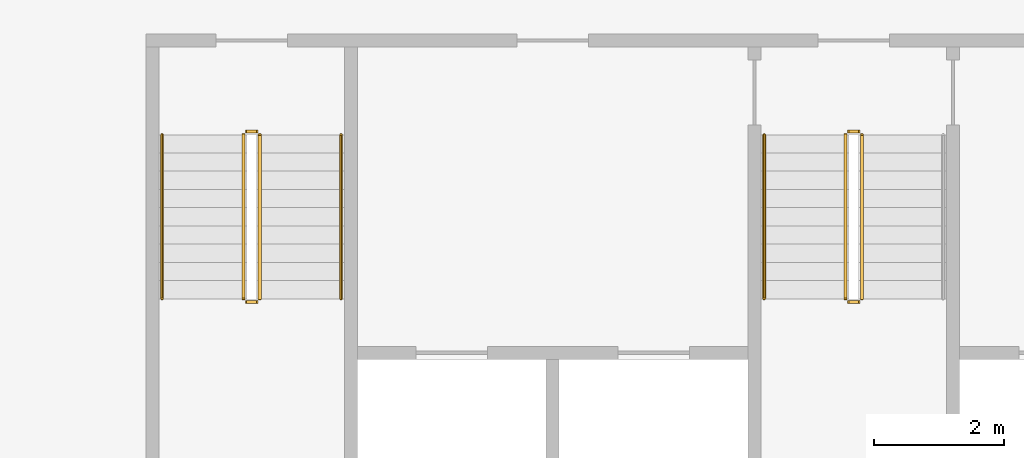
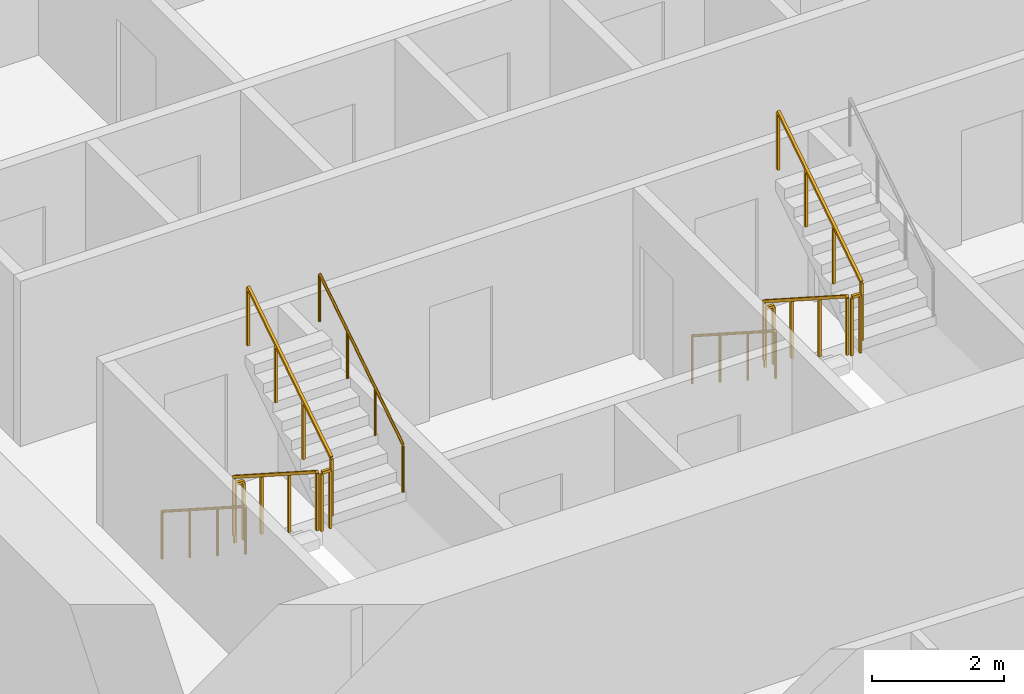
# One storey, part 15 of 18: 11 railings.
"""IFC4 building model written with IfcOpenShell, lengths in metres."""

from ifc_helpers import new_model, si_unit, direction, frame, origin, origin_2d, place, context, subcontext, project, spatial, rectangle, circle, extrude, material, type_object, element, save


model = new_model("IFC4")

# Units and contexts
model_context = context("Model", 3, precision=1e-05, world=origin(), true_north=direction((0.0, 1.0)))
body_context = subcontext(model_context, "Body", "Model", "MODEL_VIEW")
ifc_project = project(units=[si_unit("LENGTHUNIT", "METRE"), si_unit("AREAUNIT", "SQUARE_METRE"), si_unit("VOLUMEUNIT", "CUBIC_METRE"), si_unit("PLANEANGLEUNIT", "RADIAN"), si_unit("MASSUNIT", "GRAM", prefix="KILO")], contexts=[model_context])

# Site, building, storey
site_placement = place(None, origin())
site = spatial("IfcSite", under=ifc_project, at=site_placement, CompositionType="ELEMENT")
building_placement = place(site_placement, origin())
building = spatial("IfcBuilding", under=site, at=building_placement, Name="Mangrove Gate Tower", CompositionType="ELEMENT")
storey_placement = place(building_placement, frame((0.0, 0.0, 56.699951171875)))
storey = spatial("IfcBuildingStorey", under=building, at=storey_placement, Name="L13", CompositionType="ELEMENT", Elevation=56.699951171875)

# Railings
ifc_material_1 = material(Name="Stainless steel 316", Category="steel")
railing_type_1 = type_object("IfcRailingType", Name="Core stair guard 1100", PredefinedType="GUARDRAIL", material=ifc_material_1)
railing_1_placement = place(storey_placement, frame((-9.39990234375, -4.64990234375, 0.179931640625)))
element("IfcRailing", 1, at=railing_1_placement, inside=storey, type_object=railing_type_1, Name="L13 ST1 stair guard 1", PredefinedType="GUARDRAIL", context=body_context, shape_type="SweptSolid", body=[
    extrude(rectangle(XDim=0.048095703125, YDim=0.048095703125, at=origin_2d()), frame((0.0, 0.0, 1.076171875), z_axis=(0.0, -0.841162588446, 0.540782303519), x_axis=(1.0, 0.0, 0.0)), (0.0, 0.0, 1.0), 2.995849609375),
    extrude(rectangle(XDim=0.0419921875, YDim=0.0419921875, at=origin_2d()), origin(), (0.0, 0.0, 1.0), 1.052001953125),
    extrude(rectangle(XDim=0.0419921875, YDim=0.0419921875, at=origin_2d()), frame((0.0, -0.840087890625, 0.5400390625)), (0.0, 0.0, 1.0), 1.052001953125),
    extrude(rectangle(XDim=0.0419921875, YDim=0.0419921875, at=origin_2d()), frame((0.0, -1.679931640625, 1.080078125)), (0.0, 0.0, 1.0), 1.052001953125),
    extrude(rectangle(XDim=0.0419921875, YDim=0.0419921875, at=origin_2d()), frame((0.0, -2.52001953125, 1.6201171875)), (0.0, 0.0, 1.0), 1.052001953125),
])
railing_2_placement = place(storey_placement, frame((-9.35009765625, -7.219970703125, 1.800048828125)))
element("IfcRailing", 2, at=railing_2_placement, inside=storey, type_object=railing_type_1, Name="L13 ST1 stair guard 2", PredefinedType="GUARDRAIL", context=body_context, shape_type="SweptSolid", body=[
    extrude(rectangle(XDim=0.048095703125, YDim=0.048095703125, at=origin_2d()), frame((0.0, 0.0, 1.076171875), z_axis=(1.0, 0.0, 0.0), x_axis=(0.0, 1.0, 0.0)), (0.0, 0.0, 1.0), 0.150146484375),
    extrude(rectangle(XDim=0.0419921875, YDim=0.0419921875, at=origin_2d()), origin(), (0.0, 0.0, 1.0), 1.052001953125),
    extrude(rectangle(XDim=0.0419921875, YDim=0.0419921875, at=origin_2d()), frame((0.150146484375, 0.0, 0.0)), (0.0, 0.0, 1.0), 1.052001953125),
])
railing_3_placement = place(storey_placement, frame((-9.14990234375, -7.169921875, 1.97998046875)))
element("IfcRailing", 3, at=railing_3_placement, inside=storey, type_object=railing_type_1, Name="L13 ST1 stair guard 3", PredefinedType="GUARDRAIL", context=body_context, shape_type="SweptSolid", body=[
    extrude(rectangle(XDim=0.048095703125, YDim=0.048095703125, at=origin_2d()), frame((0.0, 0.0, 1.076171875), z_axis=(0.0, 0.841162588446, 0.540782303519), x_axis=(-1.0, 0.0, 0.0)), (0.0, 0.0, 1.0), 2.995849609375),
    extrude(rectangle(XDim=0.0419921875, YDim=0.0419921875, at=origin_2d()), origin(), (0.0, 0.0, 1.0), 1.052001953125),
    extrude(rectangle(XDim=0.0419921875, YDim=0.0419921875, at=origin_2d()), frame((0.0, 0.840087890625, 0.5400390625)), (0.0, 0.0, 1.0), 1.052001953125),
    extrude(rectangle(XDim=0.0419921875, YDim=0.0419921875, at=origin_2d()), frame((0.0, 1.679931640625, 1.080078125)), (0.0, 0.0, 1.0), 1.052001953125),
    extrude(rectangle(XDim=0.0419921875, YDim=0.0419921875, at=origin_2d()), frame((0.0, 2.52001953125, 1.6201171875)), (0.0, 0.0, 1.0), 1.052001953125),
])
railing_4_placement = place(storey_placement, frame((-9.35009765625, -4.60009765625, 0.0)))
element("IfcRailing", 4, at=railing_4_placement, inside=storey, type_object=railing_type_1, Name="L13 ST1 stair guard 4", PredefinedType="GUARDRAIL", context=body_context, shape_type="SweptSolid", body=[
    extrude(rectangle(XDim=0.048095703125, YDim=0.048095703125, at=origin_2d()), frame((0.0, 0.0, 1.076171875), z_axis=(1.0, 0.0, 0.0), x_axis=(0.0, 1.0, 0.0)), (0.0, 0.0, 1.0), 0.150146484375),
    extrude(rectangle(XDim=0.0419921875, YDim=0.0419921875, at=origin_2d()), origin(), (0.0, 0.0, 1.0), 1.052001953125),
    extrude(rectangle(XDim=0.0419921875, YDim=0.0419921875, at=origin_2d()), frame((0.150146484375, 0.0, 0.0)), (0.0, 0.0, 1.0), 1.052001953125),
])
railing_5_placement = place(storey_placement, frame((-0.14990234375, -4.64990234375, 0.179931640625)))
element("IfcRailing", 5, at=railing_5_placement, inside=storey, type_object=railing_type_1, Name="L13 ST2 stair guard 1", PredefinedType="GUARDRAIL", context=body_context, shape_type="SweptSolid", body=[
    extrude(rectangle(XDim=0.048095703125, YDim=0.048095703125, at=origin_2d()), frame((0.0, 0.0, 1.076171875), z_axis=(0.0, -0.841162588446, 0.540782303519), x_axis=(1.0, 0.0, 0.0)), (0.0, 0.0, 1.0), 2.995849609375),
    extrude(rectangle(XDim=0.0419921875, YDim=0.0419921875, at=origin_2d()), origin(), (0.0, 0.0, 1.0), 1.052001953125),
    extrude(rectangle(XDim=0.0419921875, YDim=0.0419921875, at=origin_2d()), frame((0.0, -0.840087890625, 0.5400390625)), (0.0, 0.0, 1.0), 1.052001953125),
    extrude(rectangle(XDim=0.0419921875, YDim=0.0419921875, at=origin_2d()), frame((0.0, -1.679931640625, 1.080078125)), (0.0, 0.0, 1.0), 1.052001953125),
    extrude(rectangle(XDim=0.0419921875, YDim=0.0419921875, at=origin_2d()), frame((0.0, -2.52001953125, 1.6201171875)), (0.0, 0.0, 1.0), 1.052001953125),
])
railing_6_placement = place(storey_placement, frame((-0.10009765625, -7.219970703125, 1.800048828125)))
element("IfcRailing", 6, at=railing_6_placement, inside=storey, type_object=railing_type_1, Name="L13 ST2 stair guard 2", PredefinedType="GUARDRAIL", context=body_context, shape_type="SweptSolid", body=[
    extrude(rectangle(XDim=0.048095703125, YDim=0.048095703125, at=origin_2d()), frame((0.0, 0.0, 1.076171875), z_axis=(1.0, 0.0, 0.0), x_axis=(0.0, 1.0, 0.0)), (0.0, 0.0, 1.0), 0.150146484375),
    extrude(rectangle(XDim=0.0419921875, YDim=0.0419921875, at=origin_2d()), origin(), (0.0, 0.0, 1.0), 1.052001953125),
    extrude(rectangle(XDim=0.0419921875, YDim=0.0419921875, at=origin_2d()), frame((0.150146484375, 0.0, 0.0)), (0.0, 0.0, 1.0), 1.052001953125),
])
railing_7_placement = place(storey_placement, frame((0.10009765625, -7.169921875, 1.97998046875)))
element("IfcRailing", 7, at=railing_7_placement, inside=storey, type_object=railing_type_1, Name="L13 ST2 stair guard 3", PredefinedType="GUARDRAIL", context=body_context, shape_type="SweptSolid", body=[
    extrude(rectangle(XDim=0.048095703125, YDim=0.048095703125, at=origin_2d()), frame((0.0, 0.0, 1.076171875), z_axis=(0.0, 0.841162588446, 0.540782303519), x_axis=(-1.0, 0.0, 0.0)), (0.0, 0.0, 1.0), 2.995849609375),
    extrude(rectangle(XDim=0.0419921875, YDim=0.0419921875, at=origin_2d()), origin(), (0.0, 0.0, 1.0), 1.052001953125),
    extrude(rectangle(XDim=0.0419921875, YDim=0.0419921875, at=origin_2d()), frame((0.0, 0.840087890625, 0.5400390625)), (0.0, 0.0, 1.0), 1.052001953125),
    extrude(rectangle(XDim=0.0419921875, YDim=0.0419921875, at=origin_2d()), frame((0.0, 1.679931640625, 1.080078125)), (0.0, 0.0, 1.0), 1.052001953125),
    extrude(rectangle(XDim=0.0419921875, YDim=0.0419921875, at=origin_2d()), frame((0.0, 2.52001953125, 1.6201171875)), (0.0, 0.0, 1.0), 1.052001953125),
])
railing_8_placement = place(storey_placement, frame((-0.10009765625, -4.60009765625, 0.0)))
element("IfcRailing", 8, at=railing_8_placement, inside=storey, type_object=railing_type_1, Name="L13 ST2 stair guard 4", PredefinedType="GUARDRAIL", context=body_context, shape_type="SweptSolid", body=[
    extrude(rectangle(XDim=0.048095703125, YDim=0.048095703125, at=origin_2d()), frame((0.0, 0.0, 1.076171875), z_axis=(1.0, 0.0, 0.0), x_axis=(0.0, 1.0, 0.0)), (0.0, 0.0, 1.0), 0.150146484375),
    extrude(rectangle(XDim=0.0419921875, YDim=0.0419921875, at=origin_2d()), origin(), (0.0, 0.0, 1.0), 1.052001953125),
    extrude(rectangle(XDim=0.0419921875, YDim=0.0419921875, at=origin_2d()), frame((0.150146484375, 0.0, 0.0)), (0.0, 0.0, 1.0), 1.052001953125),
])
ifc_material_2 = material(Name="Stainless steel 316", Category="steel")
railing_type_2 = type_object("IfcRailingType", Name="Core stair handrail 900", PredefinedType="HANDRAIL", material=ifc_material_2)
railing_9_placement = place(storey_placement, frame((-10.64990234375, -4.64990234375, 0.179931640625)))
element("IfcRailing", 9, at=railing_9_placement, inside=storey, type_object=railing_type_2, Name="L13 ST1 stair handrail 1", PredefinedType="HANDRAIL", context=body_context, shape_type="SweptSolid", body=[
    extrude(circle(Radius=0.02392578125, at=origin_2d()), frame((0.0, 0.0, 0.8759765625), z_axis=(0.0, -0.841162588446, 0.540782303519), x_axis=(1.0, 0.0, 0.0)), (0.0, 0.0, 1.0), 2.995849609375),
    extrude(circle(Radius=0.02099609375, at=origin_2d()), origin(), (0.0, 0.0, 1.0), 0.851806640625),
    extrude(circle(Radius=0.02099609375, at=origin_2d()), frame((0.0, -0.840087890625, 0.5400390625)), (0.0, 0.0, 1.0), 0.851806640625),
    extrude(circle(Radius=0.02099609375, at=origin_2d()), frame((0.0, -1.679931640625, 1.080078125)), (0.0, 0.0, 1.0), 0.851806640625),
    extrude(circle(Radius=0.02099609375, at=origin_2d()), frame((0.0, -2.52001953125, 1.6201171875)), (0.0, 0.0, 1.0), 0.851806640625),
])
railing_10_placement = place(storey_placement, frame((-7.89990234375, -7.169921875, 1.97998046875)))
element("IfcRailing", 10, at=railing_10_placement, inside=storey, type_object=railing_type_2, Name="L13 ST1 stair handrail 2", PredefinedType="HANDRAIL", context=body_context, shape_type="SweptSolid", body=[
    extrude(circle(Radius=0.02392578125, at=origin_2d()), frame((0.0, 0.0, 0.8759765625), z_axis=(0.0, 0.841162588446, 0.540782303519), x_axis=(-1.0, 0.0, 0.0)), (0.0, 0.0, 1.0), 2.995849609375),
    extrude(circle(Radius=0.02099609375, at=origin_2d()), origin(), (0.0, 0.0, 1.0), 0.851806640625),
    extrude(circle(Radius=0.02099609375, at=origin_2d()), frame((0.0, 0.840087890625, 0.5400390625)), (0.0, 0.0, 1.0), 0.851806640625),
    extrude(circle(Radius=0.02099609375, at=origin_2d()), frame((0.0, 1.679931640625, 1.080078125)), (0.0, 0.0, 1.0), 0.851806640625),
    extrude(circle(Radius=0.02099609375, at=origin_2d()), frame((0.0, 2.52001953125, 1.6201171875)), (0.0, 0.0, 1.0), 0.851806640625),
])
railing_11_placement = place(storey_placement, frame((-1.39990234375, -4.64990234375, 0.179931640625)))
element("IfcRailing", 11, at=railing_11_placement, inside=storey, type_object=railing_type_2, Name="L13 ST2 stair handrail 1", PredefinedType="HANDRAIL", context=body_context, shape_type="SweptSolid", body=[
    extrude(circle(Radius=0.02392578125, at=origin_2d()), frame((0.0, 0.0, 0.8759765625), z_axis=(0.0, -0.841162588446, 0.540782303519), x_axis=(1.0, 0.0, 0.0)), (0.0, 0.0, 1.0), 2.995849609375),
    extrude(circle(Radius=0.02099609375, at=origin_2d()), origin(), (0.0, 0.0, 1.0), 0.851806640625),
    extrude(circle(Radius=0.02099609375, at=origin_2d()), frame((0.0, -0.840087890625, 0.5400390625)), (0.0, 0.0, 1.0), 0.851806640625),
    extrude(circle(Radius=0.02099609375, at=origin_2d()), frame((0.0, -1.679931640625, 1.080078125)), (0.0, 0.0, 1.0), 0.851806640625),
    extrude(circle(Radius=0.02099609375, at=origin_2d()), frame((0.0, -2.52001953125, 1.6201171875)), (0.0, 0.0, 1.0), 0.851806640625),
])

save(model, "model.ifc")
